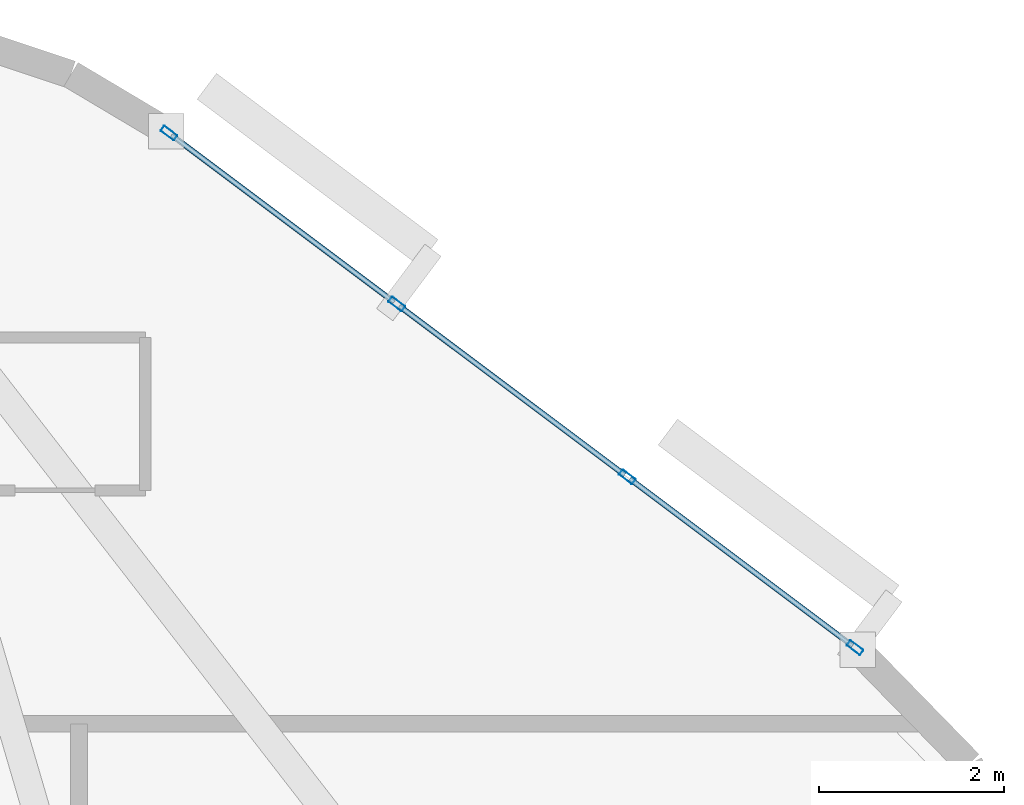
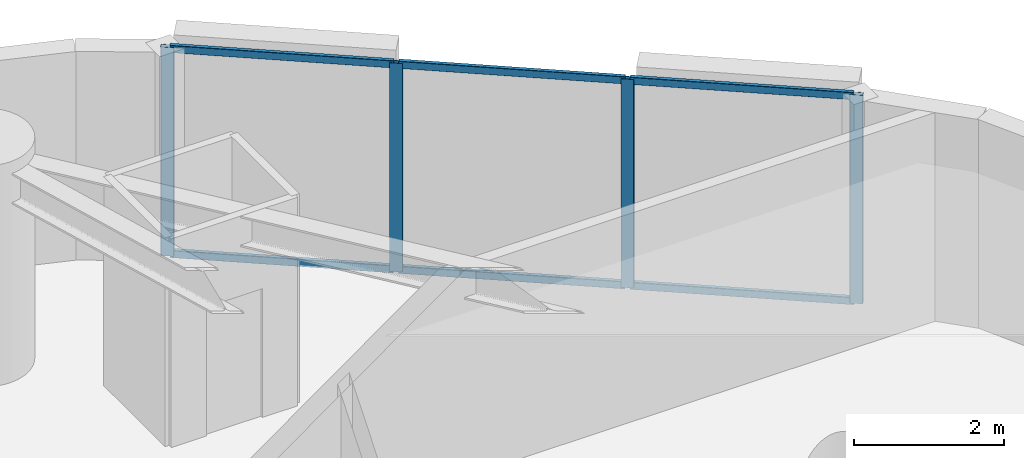
# One storey, part 8 of 15: 10 members, 1 element without a shape of its own.
"""IFC4 building model written with IfcOpenShell, lengths in metres."""

from ifc_helpers import new_model, si_unit, direction, frame, origin, origin_2d, place, context, subcontext, project, spatial, hollow_rectangle, extrude, material, layer, layer_set, material_profile, profile_set, type_object, element, aggregate, save


model = new_model("IFC4")

# Units and contexts
model_context = context("Model", 3, precision=1e-05, world=origin(), true_north=direction((0.0, 1.0)))
body_context = subcontext(model_context, "Body", "Model", "MODEL_VIEW")
ifc_project = project(units=[si_unit("LENGTHUNIT", "METRE"), si_unit("AREAUNIT", "SQUARE_METRE"), si_unit("VOLUMEUNIT", "CUBIC_METRE"), si_unit("PLANEANGLEUNIT", "RADIAN"), si_unit("MASSUNIT", "GRAM", prefix="KILO")], contexts=[model_context])

# Site, building, storey
site_placement = place(None, origin())
site = spatial("IfcSite", under=ifc_project, at=site_placement, CompositionType="ELEMENT")
building_placement = place(site_placement, origin())
building = spatial("IfcBuilding", under=site, at=building_placement, Name="An Khanh Terracotta Commons", CompositionType="ELEMENT")
storey_placement = place(building_placement, frame((0.0, 0.0, 122.300048828125)))
storey = spatial("IfcBuildingStorey", under=building, at=storey_placement, Name="L32", CompositionType="ELEMENT", Elevation=122.300048828125)

# Curtain wall, members
ifc_material = material(Name="Anodised Aluminium 6063-T6", Category="aluminium")
ifc_layer = layer(ifc_material, 0.199951171875, Name="Anodised Aluminium 6063-T6")
ifc_layer_set = layer_set([ifc_layer], Name="Anodised Aluminium 6063-T6")
curtain_wall_type = type_object("IfcCurtainWallType", Name="CW-SYS-02", PredefinedType="USERDEFINED", material=ifc_layer_set)
curtain_wall_placement = place(storey_placement, origin())
curtain_wall = element("IfcCurtainWall", 1, at=curtain_wall_placement, inside=storey, type_object=curtain_wall_type, Name="L32 CW-02 Unitised Curtain Wall CW-L32-16", ObjectType="UNITISED CURTAIN WALL", PredefinedType="USERDEFINED")
ifc_material_profile_1 = material_profile(ifc_material, hollow_rectangle(XDim=0.070068359375, YDim=0.179931640625, WallThickness=0.00390625, InnerFilletRadius=0.00390625, OuterFilletRadius=0.008056640625, at=origin_2d()), Name="RHS180x70x4")
ifc_profile_set_1 = profile_set([ifc_material_profile_1], Name="Anodised Aluminium 6063-T6")
member_type_1 = type_object("IfcMemberType", Name="CWM-RHS180x70x4", PredefinedType="MULLION", material=ifc_profile_set_1)
member_1_placement = place(storey_placement, frame((55.132080078125, 37.10107421875, 0.0), z_axis=(0.0, 0.0, 1.0), x_axis=(-0.599982857492, -0.800012856594, 0.0)))
member_1 = element("IfcMember", 2, at=member_1_placement, type_object=member_type_1, Name="CW-02 mullion 1", PredefinedType="MULLION", context=body_context, shape_type="SweptSolid", body=[
    extrude(hollow_rectangle(XDim=0.070068359375, YDim=0.179931640625, WallThickness=0.00390625, InnerFilletRadius=0.00390625, OuterFilletRadius=0.008056640625, at=origin_2d()), origin(), (0.0, 0.0, 1.0), 3.39990234375),
])
member_2_placement = place(storey_placement, frame((52.6708984375, 38.94677734375, 0.0), z_axis=(0.0, 0.0, 1.0), x_axis=(-0.599982857492, -0.800012856594, 0.0)))
member_2 = element("IfcMember", 3, at=member_2_placement, type_object=member_type_1, Name="CW-02 mullion 2", PredefinedType="MULLION", context=body_context, shape_type="SweptSolid", body=[
    extrude(hollow_rectangle(XDim=0.070068359375, YDim=0.179931640625, WallThickness=0.00390625, InnerFilletRadius=0.00390625, OuterFilletRadius=0.008056640625, at=origin_2d()), origin(), (0.0, 0.0, 1.0), 3.39990234375),
])
member_3_placement = place(storey_placement, frame((50.181884765625, 40.813232421875, 0.0), z_axis=(0.0, 0.0, 1.0), x_axis=(-0.599982857492, -0.800012856594, 0.0)))
member_3 = element("IfcMember", 4, at=member_3_placement, type_object=member_type_1, Name="CW-02 mullion 3", PredefinedType="MULLION", context=body_context, shape_type="SweptSolid", body=[
    extrude(hollow_rectangle(XDim=0.070068359375, YDim=0.179931640625, WallThickness=0.00390625, InnerFilletRadius=0.00390625, OuterFilletRadius=0.008056640625, at=origin_2d()), origin(), (0.0, 0.0, 1.0), 3.39990234375),
])
member_4_placement = place(storey_placement, frame((47.720947265625, 42.658935546875, 0.0), z_axis=(0.0, 0.0, 1.0), x_axis=(-0.599982857492, -0.800012856594, 0.0)))
member_4 = element("IfcMember", 5, at=member_4_placement, type_object=member_type_1, Name="CW-02 mullion 4", PredefinedType="MULLION", context=body_context, shape_type="SweptSolid", body=[
    extrude(hollow_rectangle(XDim=0.070068359375, YDim=0.179931640625, WallThickness=0.00390625, InnerFilletRadius=0.00390625, OuterFilletRadius=0.008056640625, at=origin_2d()), origin(), (0.0, 0.0, 1.0), 3.39990234375),
])
ifc_material_profile_2 = material_profile(ifc_material, hollow_rectangle(XDim=0.06005859375, YDim=0.1201171875, WallThickness=0.003662109375, InnerFilletRadius=0.003662109375, OuterFilletRadius=0.007080078125, at=origin_2d()), Name="RHS120x60x3.6")
ifc_profile_set_2 = profile_set([ifc_material_profile_2], Name="Anodised Aluminium 6063-T6")
member_type_2 = type_object("IfcMemberType", Name="CWT-RHS120x60x3.6", PredefinedType="USERDEFINED", material=ifc_profile_set_2)
member_5_placement = place(storey_placement, frame((55.10400390625, 37.1220703125, 0.030029296875), z_axis=(-0.800009745217, 0.599987006158, 0.0), x_axis=(-0.599987006158, -0.800009745217, 0.0)))
member_5 = element("IfcMember", 6, at=member_5_placement, type_object=member_type_2, Name="CW-02 transom 1.1", ObjectType="TRANSOM", PredefinedType="USERDEFINED", context=body_context, shape_type="SweptSolid", body=[
    extrude(hollow_rectangle(XDim=0.06005859375, YDim=0.1201171875, WallThickness=0.003662109375, InnerFilletRadius=0.003662109375, OuterFilletRadius=0.007080078125, at=origin_2d()), origin(), (0.0, 0.0, 1.0), 3.00634765625),
])
member_6_placement = place(storey_placement, frame((55.10400390625, 37.1220703125, 3.369873046875), z_axis=(-0.800009745217, 0.599987006158, 0.0), x_axis=(-0.599987006158, -0.800009745217, 0.0)))
member_6 = element("IfcMember", 7, at=member_6_placement, type_object=member_type_2, Name="CW-02 transom 1.2", ObjectType="TRANSOM", PredefinedType="USERDEFINED", context=body_context, shape_type="SweptSolid", body=[
    extrude(hollow_rectangle(XDim=0.06005859375, YDim=0.1201171875, WallThickness=0.003662109375, InnerFilletRadius=0.003662109375, OuterFilletRadius=0.007080078125, at=origin_2d()), origin(), (0.0, 0.0, 1.0), 3.00634765625),
])
member_7_placement = place(storey_placement, frame((52.64306640625, 38.9677734375, 0.030029296875), z_axis=(-0.800057796972, 0.599922929638, 0.0), x_axis=(-0.599922929638, -0.800057796972, 0.0)))
member_7 = element("IfcMember", 8, at=member_7_placement, type_object=member_type_2, Name="CW-02 transom 2.1", ObjectType="TRANSOM", PredefinedType="USERDEFINED", context=body_context, shape_type="SweptSolid", body=[
    extrude(hollow_rectangle(XDim=0.06005859375, YDim=0.1201171875, WallThickness=0.003662109375, InnerFilletRadius=0.003662109375, OuterFilletRadius=0.007080078125, at=origin_2d()), origin(), (0.0, 0.0, 1.0), 3.041259765625),
])
member_8_placement = place(storey_placement, frame((52.64306640625, 38.9677734375, 3.369873046875), z_axis=(-0.800057796972, 0.599922929638, 0.0), x_axis=(-0.599922929638, -0.800057796972, 0.0)))
member_8 = element("IfcMember", 9, at=member_8_placement, type_object=member_type_2, Name="CW-02 transom 2.2", ObjectType="TRANSOM", PredefinedType="USERDEFINED", context=body_context, shape_type="SweptSolid", body=[
    extrude(hollow_rectangle(XDim=0.06005859375, YDim=0.1201171875, WallThickness=0.003662109375, InnerFilletRadius=0.003662109375, OuterFilletRadius=0.007080078125, at=origin_2d()), origin(), (0.0, 0.0, 1.0), 3.041259765625),
])
member_9_placement = place(storey_placement, frame((50.154052734375, 40.834228515625, 0.030029296875), z_axis=(-0.800009745217, 0.599987006158, 0.0), x_axis=(-0.599987006158, -0.800009745217, 0.0)))
member_9 = element("IfcMember", 10, at=member_9_placement, type_object=member_type_2, Name="CW-02 transom 3.1", ObjectType="TRANSOM", PredefinedType="USERDEFINED", context=body_context, shape_type="SweptSolid", body=[
    extrude(hollow_rectangle(XDim=0.06005859375, YDim=0.1201171875, WallThickness=0.003662109375, InnerFilletRadius=0.003662109375, OuterFilletRadius=0.007080078125, at=origin_2d()), origin(), (0.0, 0.0, 1.0), 3.00634765625),
])
member_10_placement = place(storey_placement, frame((50.154052734375, 40.834228515625, 3.369873046875), z_axis=(-0.800009745217, 0.599987006158, 0.0), x_axis=(-0.599987006158, -0.800009745217, 0.0)))
member_10 = element("IfcMember", 11, at=member_10_placement, type_object=member_type_2, Name="CW-02 transom 3.2", ObjectType="TRANSOM", PredefinedType="USERDEFINED", context=body_context, shape_type="SweptSolid", body=[
    extrude(hollow_rectangle(XDim=0.06005859375, YDim=0.1201171875, WallThickness=0.003662109375, InnerFilletRadius=0.003662109375, OuterFilletRadius=0.007080078125, at=origin_2d()), origin(), (0.0, 0.0, 1.0), 3.00634765625),
])
aggregate(curtain_wall, [member_1, member_2, member_3, member_4, member_5, member_6, member_7, member_8, member_9, member_10])

save(model, "model.ifc")
